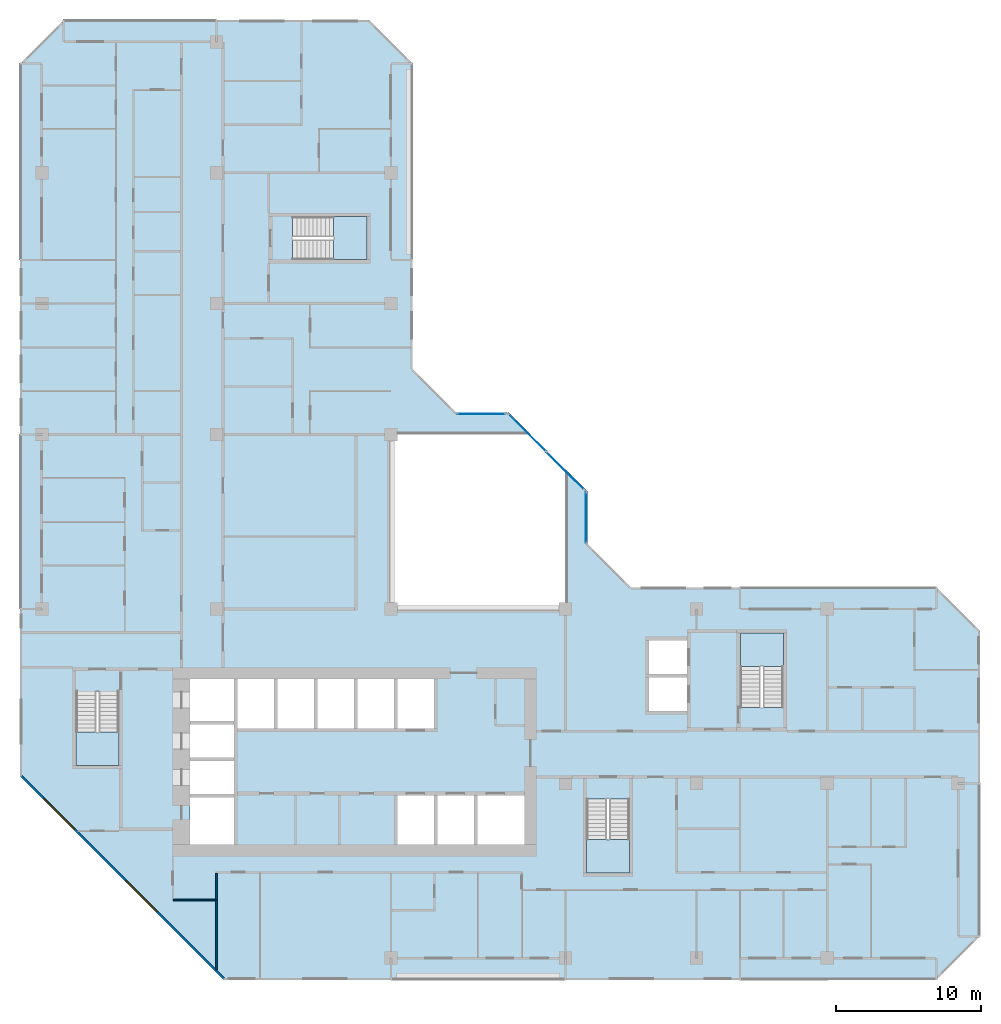
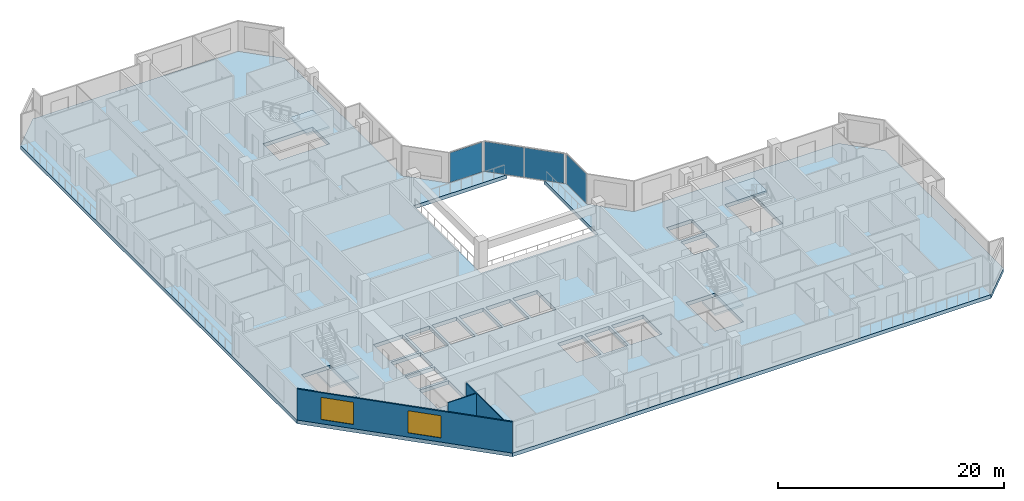
# One storey, part 3 of 14: 5 slabs, 4 plates, 3 walls, 2 windows, 2 openings, 7 elements without a shape of their own.
"""IFC4 building model written with IfcOpenShell, lengths in metres."""

from ifc_helpers import new_model, si_unit, direction, frame, frame_2d, origin, origin_2d, place, context, subcontext, project, spatial, polyline, rectangle, outline, extrude, material, layer, layer_set, type_object, element, fill, aggregate, save


model = new_model("IFC4")

# Units and contexts
model_context = context("Model", 3, precision=1e-05, world=origin(), true_north=direction((0.0, 1.0)))
body_context = subcontext(model_context, "Body", "Model", "MODEL_VIEW")
ifc_project = project(units=[si_unit("LENGTHUNIT", "METRE"), si_unit("AREAUNIT", "SQUARE_METRE"), si_unit("VOLUMEUNIT", "CUBIC_METRE"), si_unit("PLANEANGLEUNIT", "RADIAN"), si_unit("MASSUNIT", "GRAM", prefix="KILO")], contexts=[model_context])

# Site, building, storey
site_placement = place(None, origin())
site = spatial("IfcSite", under=ifc_project, at=site_placement, CompositionType="ELEMENT")
building_placement = place(site_placement, origin())
building = spatial("IfcBuilding", under=site, at=building_placement, Name="Chenar Terraces", CompositionType="ELEMENT")
storey_placement = place(building_placement, frame((0.0, 0.0, 161.14990234375)))
storey = spatial("IfcBuildingStorey", under=building, at=storey_placement, Name="L36", CompositionType="ELEMENT", Elevation=161.14990234375)

# Curtain wall, plate
ifc_material_1 = material(Name="Aluminium framed glazing", Category="aluminium")
ifc_layer_1 = layer(ifc_material_1, 0.14990234375)
ifc_layer_set_1 = layer_set([ifc_layer_1], Name="Aluminium framed glazing")
curtain_wall_type = type_object("IfcCurtainWallType", Name="Atrium mid-zone curtain wall", PredefinedType="NOTDEFINED", material=ifc_layer_set_1)
placement_1 = place(storey_placement, origin())
curtain_wall_1 = element("IfcCurtainWall", 1, at=placement_1, inside=storey, type_object=curtain_wall_type, Name="Atrium mid-zone curtain wall", PredefinedType="NOTDEFINED")
ifc_material_2 = material(Name="Low emissivity laminated glass, solar control coating", Category="glass")
ifc_layer_2 = layer(ifc_material_2, 0.031982421875)
ifc_layer_set_2 = layer_set([ifc_layer_2], Name="Low emissivity laminated glass, solar control coating")
plate_type = type_object("IfcPlateType", Name="Atrium mid-zone glazing panel 32", PredefinedType="CURTAIN_PANEL", material=ifc_layer_set_2)
plate_1_placement = place(storey_placement, frame((37.425048828125, 30.300048828125, 0.070068359375), z_axis=(0.0, 0.0, 1.0), x_axis=(0.0, 1.0, 0.0)))
plate_1 = element("IfcPlate", 2, at=plate_1_placement, type_object=plate_type, Name="CW7-1 panel 1.1", PredefinedType="CURTAIN_PANEL", context=body_context, shape_type="SweptSolid", body=[
    extrude(rectangle(XDim=3.4599609375, YDim=0.031982421875, at=origin_2d()), origin(), (0.0, 0.0, 1.0), 3.2099609375),
])
aggregate(curtain_wall_1, [plate_1])

# Curtain wall, plates
curtain_wall_2 = element("IfcCurtainWall", 3, at=placement_1, inside=storey, type_object=curtain_wall_type, Name="Atrium mid-zone curtain wall", PredefinedType="NOTDEFINED")
plate_2_placement = place(storey_placement, frame((35.978515625, 33.515380859375, 0.070068359375), z_axis=(0.0, 0.0, 1.0), x_axis=(-0.707106781187, 0.707106781187, 0.0)))
plate_2 = element("IfcPlate", 4, at=plate_2_placement, type_object=plate_type, Name="CW7-2 panel 1.1", PredefinedType="CURTAIN_PANEL", context=body_context, shape_type="SweptSolid", body=[
    extrude(rectangle(XDim=3.61328125, YDim=0.031982421875, at=origin_2d()), origin(), (0.0, 0.0, 1.0), 3.2099609375),
])
plate_3_placement = place(storey_placement, frame((33.3740234375, 36.119873046875, 0.070068359375), z_axis=(0.0, 0.0, 1.0), x_axis=(-0.707106781187, 0.707106781187, 0.0)))
plate_3 = element("IfcPlate", 5, at=plate_3_placement, type_object=plate_type, Name="CW7-2 panel 2.1", PredefinedType="CURTAIN_PANEL", context=body_context, shape_type="SweptSolid", body=[
    extrude(rectangle(XDim=3.61328125, YDim=0.031982421875, at=origin_2d()), origin(), (0.0, 0.0, 1.0), 3.2099609375),
])
aggregate(curtain_wall_2, [plate_2, plate_3])

# Curtain wall, plate
curtain_wall_3 = element("IfcCurtainWall", 6, at=placement_1, inside=storey, type_object=curtain_wall_type, Name="Atrium mid-zone curtain wall", PredefinedType="NOTDEFINED")
plate_4_placement = place(storey_placement, frame((30.199951171875, 37.425048828125, 0.070068359375), z_axis=(0.0, 0.0, 1.0), x_axis=(-1.0, 0.0, 0.0)))
plate_4 = element("IfcPlate", 7, at=plate_4_placement, type_object=plate_type, Name="CW7-3 panel 1.1", PredefinedType="CURTAIN_PANEL", context=body_context, shape_type="SweptSolid", body=[
    extrude(rectangle(XDim=3.260009765625, YDim=0.031982421875, at=origin_2d()), origin(), (0.0, 0.0, 1.0), 3.2099609375),
])
aggregate(curtain_wall_3, [plate_4])

# Stair, slab
ifc_material_3 = material(Name="Reinforced concrete C40/50", Category="concrete")
stair_type = type_object("IfcStairType", Name="Core stair 1400 half-turn", PredefinedType="HALF_TURN_STAIR", material=ifc_material_3)
stair_1 = element("IfcStair", 8, at=placement_1, inside=storey, type_object=stair_type, Name="L36 Stair 1", PredefinedType="HALF_TURN_STAIR")
ifc_material_4 = material(Name="Reinforced concrete C40/50", Category="concrete")
ifc_layer_3 = layer(ifc_material_4, 0.199951171875)
ifc_layer_set_3 = layer_set([ifc_layer_3], Name="Reinforced concrete C40/50")
slab_type_1 = type_object("IfcSlabType", Name="Core stair landing 200", PredefinedType="LANDING", material=ifc_layer_set_3)
placement_2 = place(storey_placement, frame((0.0, 0.0, 1.675048828125)))
slab_1 = element("IfcSlab", 9, at=placement_2, type_object=slab_type_1, Name="ST1 landing 1", PredefinedType="LANDING", context=body_context, shape_type="SweptSolid", body=[
    extrude(outline(polyline([(2.35009765625, 15.550048828125), (2.35009765625, 13.25), (5.300048828125, 13.25), (5.300048828125, 15.550048828125), (2.35009765625, 15.550048828125)])), origin(), (0.0, 0.0, 1.0), 0.199951171875),
])
aggregate(stair_1, [slab_1])

stair_2 = element("IfcStair", 10, at=placement_1, inside=storey, type_object=stair_type, Name="L36 Stair 2", PredefinedType="HALF_TURN_STAIR")
slab_2 = element("IfcSlab", 11, at=placement_2, type_object=slab_type_1, Name="ST2 landing 1", PredefinedType="LANDING", context=body_context, shape_type="SweptSolid", body=[
    extrude(outline(polyline([(37.449951171875, 8.14990234375), (37.449951171875, 5.85009765625), (40.39990234375, 5.85009765625), (40.39990234375, 8.14990234375), (37.449951171875, 8.14990234375)])), origin(), (0.0, 0.0, 1.0), 0.199951171875),
])
aggregate(stair_2, [slab_2])

stair_3 = element("IfcStair", 12, at=placement_1, inside=storey, type_object=stair_type, Name="L36 Stair 3", PredefinedType="HALF_TURN_STAIR")
slab_3 = element("IfcSlab", 13, at=placement_2, type_object=slab_type_1, Name="ST3 landing 1", PredefinedType="LANDING", context=body_context, shape_type="SweptSolid", body=[
    extrude(outline(polyline([(50.97509765625, 20.050048828125), (50.97509765625, 22.35009765625), (48.02490234375, 22.35009765625), (48.02490234375, 20.050048828125), (50.97509765625, 20.050048828125)])), origin(), (0.0, 0.0, 1.0), 0.199951171875),
])
aggregate(stair_3, [slab_3])

stair_4 = element("IfcStair", 14, at=placement_1, inside=storey, type_object=stair_type, Name="L36 Stair 4", PredefinedType="HALF_TURN_STAIR")
slab_4 = element("IfcSlab", 15, at=placement_2, type_object=slab_type_1, Name="ST4 landing 1", PredefinedType="LANDING", context=body_context, shape_type="SweptSolid", body=[
    extrude(outline(polyline([(20.050048828125, 48.02490234375), (22.35009765625, 48.02490234375), (22.35009765625, 50.97509765625), (20.050048828125, 50.97509765625), (20.050048828125, 48.02490234375)])), origin(), (0.0, 0.0, 1.0), 0.199951171875),
])
aggregate(stair_4, [slab_4])

# Slab
ifc_material_5 = material(Name="Concrete C40/50", Category="concrete")
ifc_layer_4 = layer(ifc_material_5, 0.39990234375)
ifc_layer_set_4 = layer_set([ifc_layer_4], Name="Concrete C40/50")
slab_type_2 = type_object("IfcSlabType", Name="Floor slab 400 Concrete C40/50", PredefinedType="FLOOR", material=ifc_layer_set_4)
slab_5_placement = place(storey_placement, frame((0.0, 0.0, -0.39990234375)))
element("IfcSlab", 16, at=slab_5_placement, inside=storey, type_object=slab_type_2, Name="Floor slab L36", PredefinedType="FLOOR", context=body_context, shape_type="SweptSolid", body=[
    extrude(outline(polyline([(64.5, 22.5), (64.5, 1.5), (61.5, -1.5), (12.5, -1.5), (-1.5, 12.5), (-1.5, 61.5), (1.5, 64.5), (22.5, 64.5), (25.5, 61.5), (25.5, 40.5), (28.5, 37.5), (32.10009765625, 37.5), (33.60009765625, 36.0), (24.0, 36.0), (24.0, 24.0), (36.0, 24.0), (36.0, 33.60009765625), (37.5, 32.10009765625), (37.5, 28.5), (40.5, 25.5), (61.5, 25.5), (64.5, 22.5)]), holes=[polyline([(13.199951171875, 11.050048828125), (10.199951171875, 11.050048828125), (10.199951171875, 7.800048828125), (13.199951171875, 7.800048828125), (13.199951171875, 11.050048828125)]), polyline([(13.199951171875, 13.550048828125), (10.199951171875, 13.550048828125), (10.199951171875, 11.300048828125), (13.199951171875, 11.300048828125), (13.199951171875, 13.550048828125)]), polyline([(13.199951171875, 16.050048828125), (10.199951171875, 16.050048828125), (10.199951171875, 13.800048828125), (13.199951171875, 13.800048828125), (13.199951171875, 16.050048828125)]), polyline([(2.35009765625, 13.25), (5.300048828125, 13.25), (5.300048828125, 18.35009765625), (2.35009765625, 18.35009765625), (2.35009765625, 13.25)]), polyline([(15.949951171875, 19.199951171875), (13.449951171875, 19.199951171875), (13.449951171875, 15.800048828125), (15.949951171875, 15.800048828125), (15.949951171875, 19.199951171875)]), polyline([(18.699951171875, 19.199951171875), (16.199951171875, 19.199951171875), (16.199951171875, 15.800048828125), (18.699951171875, 15.800048828125), (18.699951171875, 19.199951171875)]), polyline([(21.449951171875, 19.199951171875), (18.949951171875, 19.199951171875), (18.949951171875, 15.800048828125), (21.449951171875, 15.800048828125), (21.449951171875, 19.199951171875)]), polyline([(24.199951171875, 15.800048828125), (24.199951171875, 19.199951171875), (21.699951171875, 19.199951171875), (21.699951171875, 15.800048828125), (24.199951171875, 15.800048828125)]), polyline([(13.199951171875, 16.300048828125), (13.199951171875, 19.199951171875), (10.199951171875, 19.199951171875), (10.199951171875, 16.300048828125), (13.199951171875, 16.300048828125)]), polyline([(22.35009765625, 48.02490234375), (22.35009765625, 50.97509765625), (17.25, 50.97509765625), (17.25, 48.02490234375), (22.35009765625, 48.02490234375)]), polyline([(37.449951171875, 5.85009765625), (40.39990234375, 5.85009765625), (40.39990234375, 10.949951171875), (37.449951171875, 10.949951171875), (37.449951171875, 5.85009765625)]), polyline([(26.949951171875, 11.199951171875), (24.449951171875, 11.199951171875), (24.449951171875, 7.800048828125), (26.949951171875, 7.800048828125), (26.949951171875, 11.199951171875)]), polyline([(29.699951171875, 7.800048828125), (29.699951171875, 11.199951171875), (27.199951171875, 11.199951171875), (27.199951171875, 7.800048828125), (29.699951171875, 7.800048828125)]), polyline([(33.199951171875, 7.800048828125), (33.199951171875, 11.199951171875), (29.949951171875, 11.199951171875), (29.949951171875, 7.800048828125), (33.199951171875, 7.800048828125)]), polyline([(26.949951171875, 19.199951171875), (24.449951171875, 19.199951171875), (24.449951171875, 15.800048828125), (26.949951171875, 15.800048828125), (26.949951171875, 19.199951171875)]), polyline([(44.35009765625, 19.300048828125), (41.75, 19.300048828125), (41.75, 17.0), (44.35009765625, 17.0), (44.35009765625, 19.300048828125)]), polyline([(50.97509765625, 22.35009765625), (48.02490234375, 22.35009765625), (48.02490234375, 17.25), (50.97509765625, 17.25), (50.97509765625, 22.35009765625)]), polyline([(44.35009765625, 19.550048828125), (44.35009765625, 21.85009765625), (41.75, 21.85009765625), (41.75, 19.550048828125), (44.35009765625, 19.550048828125)])]), origin(), (0.0, 0.0, 1.0), 0.39990234375),
])

# Walls
ifc_material_6 = material(Name="Gypsum board on steel studs", Category="steel")
ifc_layer_5 = layer(ifc_material_6, 0.10009765625)
ifc_layer_set_5 = layer_set([ifc_layer_5], Name="Gypsum board on steel studs")
wall_type_1 = type_object("IfcWallType", Name="Gypsum partition 100", PredefinedType="PARTITIONING", material=ifc_layer_set_5)
wall_1_placement = place(storey_placement, frame((9.050048828125, 4.0, 0.0), z_axis=(0.0, 0.0, 1.0), x_axis=(1.0, 0.0, 0.0)))
element("IfcWall", 17, at=wall_1_placement, inside=storey, type_object=wall_type_1, Name="Partition L36-027", PredefinedType="PARTITIONING", context=body_context, shape_type="SweptSolid", body=[
    extrude(rectangle(XDim=2.89990234375, YDim=0.10009765625, at=frame_2d((1.449951171875, 0.0))), origin(), (0.0, 0.0, 1.0), 3.35009765625),
])
wall_2_placement = place(storey_placement, frame((12.0, -0.787841796875, 0.0), z_axis=(0.0, 0.0, 1.0), x_axis=(0.0, 1.0, 0.0)))
element("IfcWall", 18, at=wall_2_placement, inside=storey, type_object=wall_type_1, Name="Partition L36-030", PredefinedType="PARTITIONING", context=body_context, shape_type="SweptSolid", body=[
    extrude(rectangle(XDim=6.61279296875, YDim=0.10009765625, at=frame_2d((3.306396484375, 0.0))), origin(), (0.0, 0.0, 1.0), 3.35009765625),
])

# Wall, openings, windows
ifc_material_7 = material(Name="Terracotta cladding on insulated backing", Category="masonry")
ifc_layer_6 = layer(ifc_material_7, 0.14990234375)
ifc_layer_set_6 = layer_set([ifc_layer_6], Name="Terracotta cladding on insulated backing")
wall_type_2 = type_object("IfcWallType", Name="Terracotta rainscreen wall 150", PredefinedType="SOLIDWALL", material=ifc_layer_set_6)
wall_3_placement = place(storey_placement, frame((-1.447021484375, 12.552978515625, 0.0), z_axis=(0.0, 0.0, 1.0), x_axis=(0.707106781187, -0.707106781187, 0.0)))
wall_3 = element("IfcWall", 19, at=wall_3_placement, inside=storey, type_object=wall_type_2, Name="Terracotta rainscreen wall", PredefinedType="SOLIDWALL", context=body_context, shape_type="SweptSolid", body=[
    extrude(rectangle(XDim=19.799072265625, YDim=0.14990234375, at=frame_2d((9.8994140625, 0.0))), origin(), (0.0, 0.0, 1.0), 3.35009765625),
])
opening_1_placement = place(wall_3_placement, frame((2.21240234375, 0.0, 0.449951171875)))
opening_1 = element("IfcOpeningElement", 20, at=opening_1_placement, cuts=wall_3, Name="Opening W300x240", PredefinedType="OPENING", context=body_context, shape_type="SweptSolid", body=[
    extrude(rectangle(XDim=3.0, YDim=2.39990234375, at=frame_2d((1.5, 1.199951171875))), frame((0.0, 0.0849609375, 0.0), z_axis=(0.0, -1.0, 0.0), x_axis=(1.0, 0.0, 0.0)), (0.0, 0.0, 1.0), 0.169921875),
])
opening_2_placement = place(wall_3_placement, frame((10.215576171875, 0.0, 0.449951171875)))
opening_2 = element("IfcOpeningElement", 21, at=opening_2_placement, cuts=wall_3, Name="Opening W300x240", PredefinedType="OPENING", context=body_context, shape_type="SweptSolid", body=[
    extrude(rectangle(XDim=3.0, YDim=2.39990234375, at=frame_2d((1.5, 1.199951171875))), frame((0.0, 0.0849609375, 0.0), z_axis=(0.0, -1.0, 0.0), x_axis=(1.0, 0.0, 0.0)), (0.0, 0.0, 1.0), 0.169921875),
])
ifc_material_8 = material(Name="Low emissivity double glazing, aluminium frame", Category="aluminium")
window_type = type_object("IfcWindowType", Name="Fixed light 3000 x 2400", PartitioningType="SINGLE_PANEL", PredefinedType="WINDOW", material=ifc_material_8)
window_1_placement = place(opening_1_placement, origin())
window_1 = element("IfcWindow", 22, at=window_1_placement, inside=storey, type_object=window_type, Name="Window", OverallHeight=2.39990234375, OverallWidth=3.0, PartitioningType="SINGLE_PANEL", PredefinedType="WINDOW", context=body_context, shape_type="SweptSolid", body=[
    extrude(rectangle(XDim=3.0, YDim=2.39990234375, at=frame_2d((1.5, 1.199951171875))), frame((0.0, 0.030029296875, 0.0), z_axis=(0.0, -1.0, 0.0), x_axis=(1.0, 0.0, 0.0)), (0.0, 0.0, 1.0), 0.06005859375),
])
fill(opening_1, window_1)
window_2_placement = place(opening_2_placement, origin())
window_2 = element("IfcWindow", 23, at=window_2_placement, inside=storey, type_object=window_type, Name="Window", OverallHeight=2.39990234375, OverallWidth=3.0, PartitioningType="SINGLE_PANEL", PredefinedType="WINDOW", context=body_context, shape_type="SweptSolid", body=[
    extrude(rectangle(XDim=3.0, YDim=2.39990234375, at=frame_2d((1.5, 1.199951171875))), frame((0.0, 0.030029296875, 0.0), z_axis=(0.0, -1.0, 0.0), x_axis=(1.0, 0.0, 0.0)), (0.0, 0.0, 1.0), 0.06005859375),
])
fill(opening_2, window_2)

save(model, "model.ifc")
